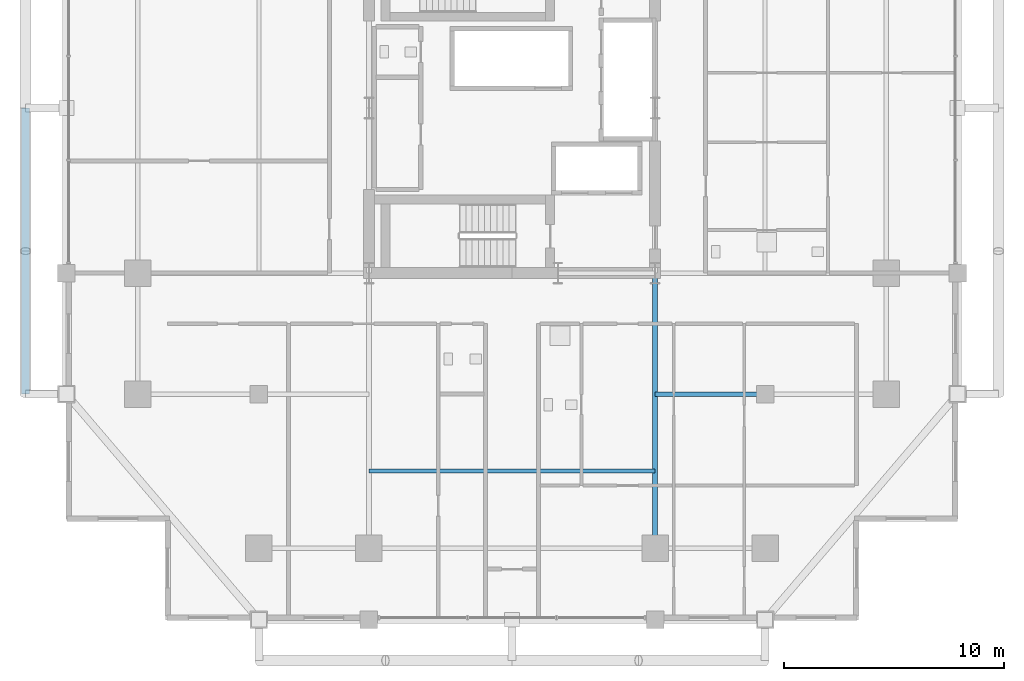
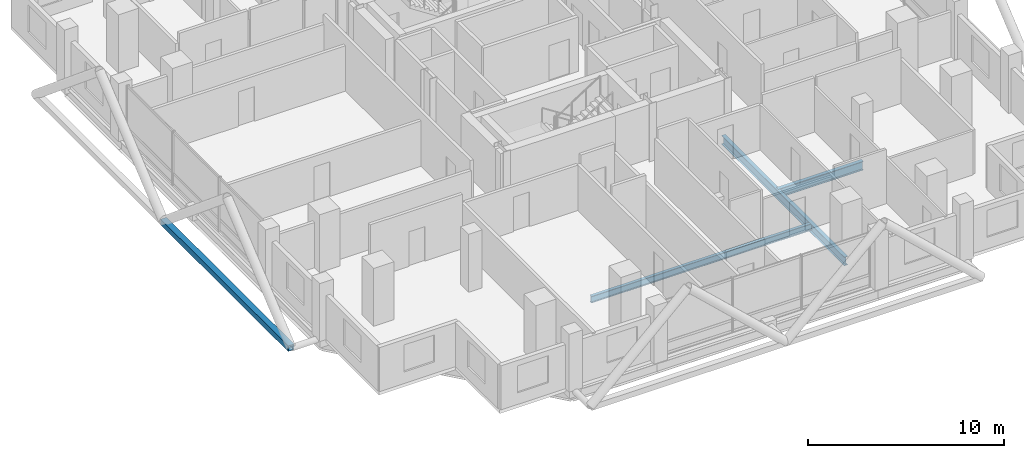
# One storey, part 4 of 25: 3 beams, 1 member.
"""IFC4 building model written with IfcOpenShell, lengths in metres."""

from ifc_helpers import new_model, si_unit, direction, frame, origin, origin_2d, place, context, subcontext, project, spatial, hollow_rectangle, i_section, extrude, material, material_profile, profile_set, type_object, element, save


model = new_model("IFC4")

# Units and contexts
model_context = context("Model", 3, precision=1e-05, world=origin(), true_north=direction((0.0, 1.0)))
body_context = subcontext(model_context, "Body", "Model", "MODEL_VIEW")
ifc_project = project(units=[si_unit("LENGTHUNIT", "METRE"), si_unit("AREAUNIT", "SQUARE_METRE"), si_unit("VOLUMEUNIT", "CUBIC_METRE"), si_unit("PLANEANGLEUNIT", "RADIAN"), si_unit("MASSUNIT", "GRAM", prefix="KILO")], contexts=[model_context])

# Site, building, storey
site_placement = place(None, origin())
site = spatial("IfcSite", under=ifc_project, at=site_placement, CompositionType="ELEMENT")
building_placement = place(site_placement, origin())
building = spatial("IfcBuilding", under=site, at=building_placement, Name="Barlavira Tower and Art Museum", CompositionType="ELEMENT")
storey_placement = place(building_placement, frame((0.0, 0.0, 144.0)))
storey = spatial("IfcBuildingStorey", under=building, at=storey_placement, Name="L36", CompositionType="ELEMENT", Elevation=144.0)

# Member
ifc_material = material(Name="Steel S355", Category="steel")
ifc_material_profile_1 = material_profile(ifc_material, hollow_rectangle(XDim=0.35009765625, YDim=0.35009765625, WallThickness=0.02001953125, at=origin_2d()), Name="SHS 350x350x20.0")
ifc_profile_set_1 = profile_set([ifc_material_profile_1], Name="Steel S355")
member_type = type_object("IfcMemberType", Name="Pale-Metal Exoskeleton Ring Strut SHS 350x350x20 Steel S355", PredefinedType="STRUT", material=ifc_profile_set_1)
member_placement = place(storey_placement, frame((-22.10009765625, -13.0, -0.1201171875), z_axis=(0.0, 1.0, 0.0), x_axis=(-1.0, 0.0, 0.0)))
element("IfcMember", 1, at=member_placement, inside=storey, type_object=member_type, Name="L36 Exoskeleton Ring Strut W", PredefinedType="STRUT", context=body_context, shape_type="SweptSolid", body=[
    extrude(hollow_rectangle(XDim=0.35009765625, YDim=0.35009765625, WallThickness=0.02001953125, at=origin_2d()), origin(), (0.0, 0.0, 1.0), 13.0),
])

# Beams
ifc_material_profile_2 = material_profile(ifc_material, i_section(OverallWidth=0.214111328125, OverallDepth=0.549072265625, WebThickness=0.0146484375, FlangeThickness=0.023681640625, at=origin_2d()), Name="W530x138.0")
ifc_profile_set_2 = profile_set([ifc_material_profile_2], Name="Steel S355")
beam_type_1 = type_object("IfcBeamType", Name="Zone 1 Primary Floor Girder W530x138 Steel S355", PredefinedType="BEAM", material=ifc_profile_set_2)
beam_1_placement = place(storey_placement, frame((6.5, -20.0, -0.494384765625), z_axis=(0.0, 1.0, 0.0), x_axis=(-1.0, 0.0, 0.0)))
element("IfcBeam", 2, at=beam_1_placement, inside=storey, type_object=beam_type_1, Name="L36 Girder R-S2", PredefinedType="BEAM", context=body_context, shape_type="SweptSolid", body=[
    extrude(i_section(OverallWidth=0.214111328125, OverallDepth=0.549072265625, WebThickness=0.0146484375, FlangeThickness=0.023681640625, at=origin_2d()), origin(), (0.0, 0.0, 1.0), 12.5),
])
beam_2_placement = place(storey_placement, frame((6.5, -13.0, -0.494384765625), z_axis=(1.0, 0.0, 0.0), x_axis=(0.0, 1.0, 0.0)))
element("IfcBeam", 3, at=beam_2_placement, inside=storey, type_object=beam_type_1, Name="L36 Girder I-S3", PredefinedType="BEAM", context=body_context, shape_type="SweptSolid", body=[
    extrude(i_section(OverallWidth=0.214111328125, OverallDepth=0.549072265625, WebThickness=0.0146484375, FlangeThickness=0.023681640625, at=origin_2d()), origin(), (0.0, 0.0, 1.0), 5.0),
])
ifc_material_profile_3 = material_profile(ifc_material, i_section(OverallWidth=0.179931640625, OverallDepth=0.4130859375, WebThickness=0.009765625, FlangeThickness=0.01611328125, at=origin_2d()), Name="W410x75.0")
ifc_profile_set_3 = profile_set([ifc_material_profile_3], Name="Steel S355")
beam_type_2 = type_object("IfcBeamType", Name="Zone 2 Composite Floor Joist W410x75 Steel S355", PredefinedType="JOIST", material=ifc_profile_set_3)
beam_3_placement = place(storey_placement, frame((-6.5, -16.5, -0.426513671875), z_axis=(1.0, 0.0, 0.0), x_axis=(0.0, 1.0, 0.0)))
element("IfcBeam", 4, at=beam_3_placement, inside=storey, type_object=beam_type_2, Name="L36 Joist C1", PredefinedType="JOIST", context=body_context, shape_type="SweptSolid", body=[
    extrude(i_section(OverallWidth=0.179931640625, OverallDepth=0.4130859375, WebThickness=0.009765625, FlangeThickness=0.01611328125, at=origin_2d()), origin(), (0.0, 0.0, 1.0), 13.0),
])

save(model, "model.ifc")
